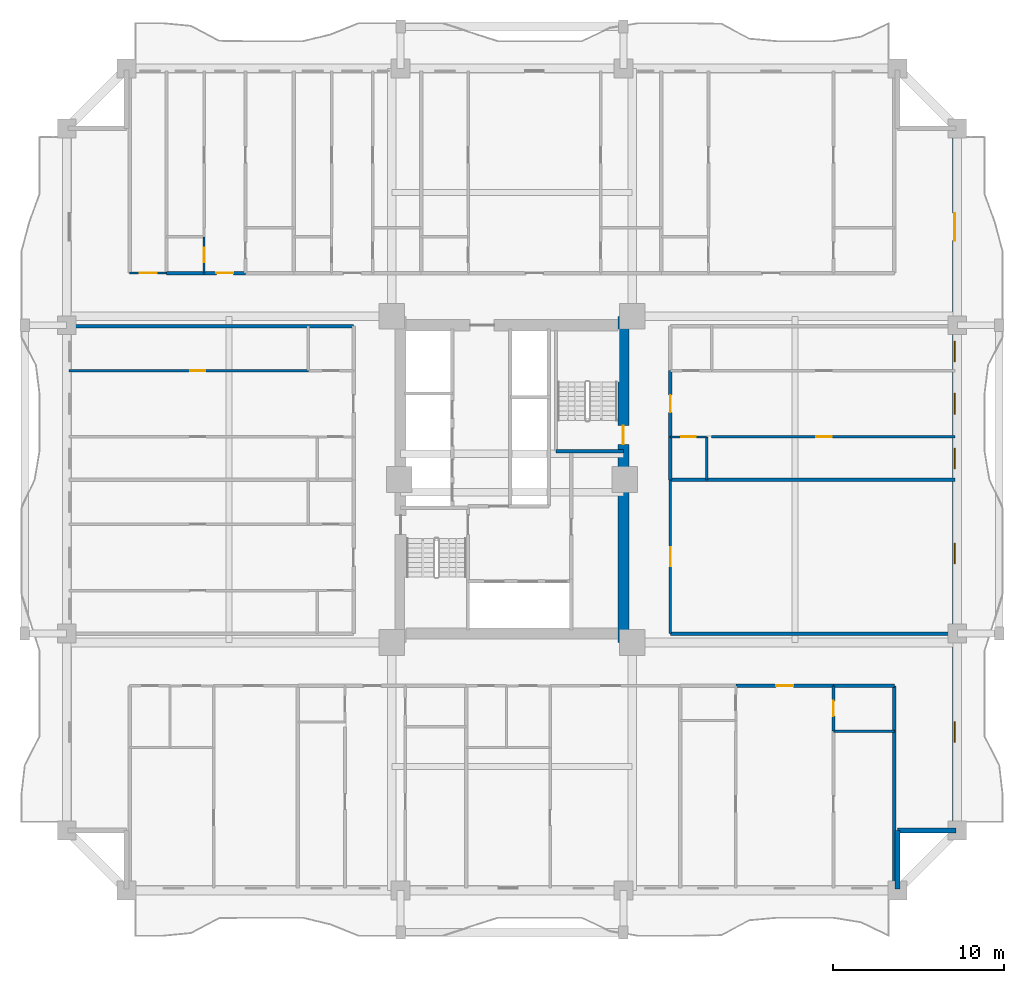
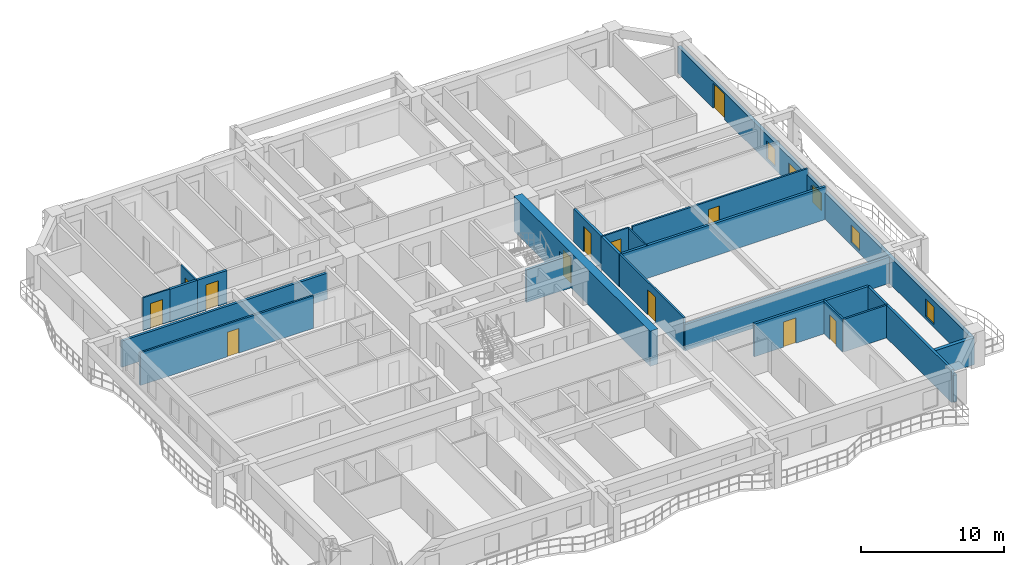
# One storey, part 5 of 15: 24 walls, 12 doors, 5 windows, 17 openings.
"""IFC4 building model written with IfcOpenShell, lengths in metres."""

from ifc_helpers import new_model, si_unit, direction, frame, frame_2d, origin, place, context, subcontext, project, spatial, rectangle, extrude, source, transform, mapped, material, layer, layer_set, type_object, element, fill, save


model = new_model("IFC4")

# Units and contexts
model_context = context("Model", 3, precision=1e-05, world=origin(), true_north=direction((0.0, 1.0)))
body_context = subcontext(model_context, "Body", "Model", "MODEL_VIEW")
ifc_project = project(units=[si_unit("LENGTHUNIT", "METRE"), si_unit("AREAUNIT", "SQUARE_METRE"), si_unit("VOLUMEUNIT", "CUBIC_METRE"), si_unit("PLANEANGLEUNIT", "RADIAN"), si_unit("MASSUNIT", "GRAM", prefix="KILO")], contexts=[model_context])

# Site, building, storey
site_placement = place(None, origin())
site = spatial("IfcSite", under=ifc_project, at=site_placement, CompositionType="ELEMENT")
building_placement = place(site_placement, origin())
building = spatial("IfcBuilding", under=site, at=building_placement, Name="Saelheon Loggia Tower", CompositionType="ELEMENT")
storey_placement = place(building_placement, frame((0.0, 0.0, 46.39990234375)))
storey = spatial("IfcBuildingStorey", under=building, at=storey_placement, Name="L14", CompositionType="ELEMENT", Elevation=46.39990234375)

# Wall, opening, door
ifc_material_1 = material(Name="Concrete C60/75", Category="concrete")
ifc_layer_1 = layer(ifc_material_1, 0.64990234375)
ifc_layer_set_1 = layer_set([ifc_layer_1], Name="Concrete C60/75")
wall_type_1 = type_object("IfcWallType", Name="Wall_CoreShear_650", PredefinedType="SHEAR", material=ifc_layer_set_1)
wall_1_placement = place(storey_placement, frame((44.5, 17.47998046875, 0.0), z_axis=(0.0, 0.0, 1.0), x_axis=(0.0, 1.0, 0.0)))
wall_1 = element("IfcWall", 1, at=wall_1_placement, inside=storey, type_object=wall_type_1, Name="L14 Core Shear Wall East", PredefinedType="SHEAR", context=body_context, shape_type="SweptSolid", body=[
    extrude(rectangle(XDim=19.0400390625, YDim=0.64990234375, at=frame_2d((9.52001953125, 0.0))), origin(), (0.0, 0.0, 1.0), 3.0),
])
opening_1_placement = place(wall_1_placement, frame((12.670166015625, 0.0, 0.0), z_axis=(0.0, 0.0, 1.0), x_axis=(-1.0, 0.0, 0.0)))
opening_1 = element("IfcOpeningElement", 2, at=opening_1_placement, cuts=wall_1, Name="Opening D-FD2", PredefinedType="OPENING", context=body_context, shape_type="SweptSolid", body=[
    extrude(rectangle(XDim=1.10009765625, YDim=2.14990234375, at=frame_2d((0.550048828125, 1.074951171875))), frame((0.0, 0.3369140625, 0.0), z_axis=(0.0, -1.0, 0.0), x_axis=(1.0, 0.0, 0.0)), (0.0, 0.0, 1.0), 0.673828125),
])
ifc_material_2 = material(Name="Galvanised Steel Fire Door", Category="steel")
door_type_1 = type_object("IfcDoorType", Name="Door_Fire_FD60_1100", OperationType="NOTDEFINED", PredefinedType="DOOR", material=ifc_material_2)
shared_shape_1 = source(origin(), body_context, "Body", "SweptSolid", [
    extrude(rectangle(XDim=1.10009765625, YDim=2.14990234375, at=frame_2d((0.550048828125, 1.074951171875))), frame((0.0, 0.02490234375, 0.0), z_axis=(0.0, -1.0, 0.0), x_axis=(1.0, 0.0, 0.0)), (0.0, 0.0, 1.0), 0.050048828125),
])
door_1_placement = place(opening_1_placement, origin())
door_1 = element("IfcDoor", 3, at=door_1_placement, inside=storey, type_object=door_type_1, Name="L14 Stair ST2 Corridor Door", OperationType="SINGLE_SWING_RIGHT", OverallHeight=2.14990234375, OverallWidth=1.10009765625, PredefinedType="DOOR", context=body_context, shape_type="MappedRepresentation", body=[
    mapped(shared_shape_1, transform((0.0, 0.0, 0.0), scale=1.0)),
])
fill(opening_1, door_1)

# Wall, openings, windows, door
ifc_material_3 = material(Name="Architectural Precast Concrete C40/50", Category="concrete")
ifc_layer_2 = layer(ifc_material_3, 0.280029296875)
ifc_layer_set_2 = layer_set([ifc_layer_2], Name="Architectural Precast Concrete C40/50")
wall_type_2 = type_object("IfcWallType", Name="Wall_Ext_Loggia_280", PredefinedType="SOLIDWALL", material=ifc_layer_set_2)
wall_2_placement = place(storey_placement, frame((63.860107421875, 6.5, 0.0), z_axis=(0.0, 0.0, 1.0), x_axis=(0.0, 1.0, 0.0)))
wall_2 = element("IfcWall", 4, at=wall_2_placement, inside=storey, type_object=wall_type_2, Name="L14 East Loggia Inner Wall", PredefinedType="SOLIDWALL", context=body_context, shape_type="SweptSolid", body=[
    extrude(rectangle(XDim=41.0, YDim=0.280029296875, at=frame_2d((20.5, 0.0))), origin(), (0.0, 0.0, 1.0), 2.280029296875),
])
opening_2_placement = place(wall_2_placement, frame((5.14990234375, 0.0, 0.25)))
opening_2 = element("IfcOpeningElement", 5, at=opening_2_placement, cuts=wall_2, Name="Opening WN-03", PredefinedType="OPENING", context=body_context, shape_type="SweptSolid", body=[
    extrude(rectangle(XDim=1.199951171875, YDim=1.5, at=frame_2d((0.60009765625, 0.75))), frame((0.0, 0.152099609375, 0.0), z_axis=(0.0, -1.0, 0.0), x_axis=(1.0, 0.0, 0.0)), (0.0, 0.0, 1.0), 0.303955078125),
])
opening_3_placement = place(wall_2_placement, frame((15.58251953125, 0.0, 0.25)))
opening_3 = element("IfcOpeningElement", 6, at=opening_3_placement, cuts=wall_2, Name="Opening WN-03", PredefinedType="OPENING", context=body_context, shape_type="SweptSolid", body=[
    extrude(rectangle(XDim=1.199951171875, YDim=1.5, at=frame_2d((0.60009765625, 0.75))), frame((0.0, 0.152099609375, 0.0), z_axis=(0.0, -1.0, 0.0), x_axis=(1.0, 0.0, 0.0)), (0.0, 0.0, 1.0), 0.303955078125),
])
opening_4_placement = place(wall_2_placement, frame((21.131591796875, 0.0, 0.25)))
opening_4 = element("IfcOpeningElement", 7, at=opening_4_placement, cuts=wall_2, Name="Opening WN-03", PredefinedType="OPENING", context=body_context, shape_type="SweptSolid", body=[
    extrude(rectangle(XDim=1.199951171875, YDim=1.5, at=frame_2d((0.60009765625, 0.75))), frame((0.0, 0.152099609375, 0.0), z_axis=(0.0, -1.0, 0.0), x_axis=(1.0, 0.0, 0.0)), (0.0, 0.0, 1.0), 0.303955078125),
])
opening_5_placement = place(wall_2_placement, frame((24.319091796875, 0.0, 0.25)))
opening_5 = element("IfcOpeningElement", 8, at=opening_5_placement, cuts=wall_2, Name="Opening WN-03", PredefinedType="OPENING", context=body_context, shape_type="SweptSolid", body=[
    extrude(rectangle(XDim=1.199951171875, YDim=1.5, at=frame_2d((0.60009765625, 0.75))), frame((0.0, 0.152099609375, 0.0), z_axis=(0.0, -1.0, 0.0), x_axis=(1.0, 0.0, 0.0)), (0.0, 0.0, 1.0), 0.303955078125),
])
opening_6_placement = place(wall_2_placement, frame((27.3798828125, 0.0, 0.25)))
opening_6 = element("IfcOpeningElement", 9, at=opening_6_placement, cuts=wall_2, Name="Opening WN-03", PredefinedType="OPENING", context=body_context, shape_type="SweptSolid", body=[
    extrude(rectangle(XDim=1.199951171875, YDim=1.5, at=frame_2d((0.60009765625, 0.75))), frame((0.0, 0.152099609375, 0.0), z_axis=(0.0, -1.0, 0.0), x_axis=(1.0, 0.0, 0.0)), (0.0, 0.0, 1.0), 0.303955078125),
])
opening_7_placement = place(wall_2_placement, frame((36.050048828125, 0.0, 0.0), z_axis=(0.0, 0.0, 1.0), x_axis=(-1.0, 0.0, 0.0)))
opening_7 = element("IfcOpeningElement", 10, at=opening_7_placement, cuts=wall_2, Name="Opening DLG-1", PredefinedType="OPENING", context=body_context, shape_type="SweptSolid", body=[
    extrude(rectangle(XDim=1.60009765625, YDim=2.14990234375, at=frame_2d((0.800048828125, 1.074951171875))), frame((0.0, 0.152099609375, 0.0), z_axis=(0.0, -1.0, 0.0), x_axis=(1.0, 0.0, 0.0)), (0.0, 0.0, 1.0), 0.303955078125),
])
ifc_material_4 = material(Name="Thermal-Break Aluminium and Triple Low-E Glass", Category="aluminium")
window_type = type_object("IfcWindowType", Name="Win_Bedroom_1200x1500", PartitioningType="SINGLE_PANEL", PredefinedType="WINDOW", material=ifc_material_4)
shared_shape_2 = source(origin(), body_context, "Body", "SweptSolid", [
    extrude(rectangle(XDim=1.199951171875, YDim=1.5, at=frame_2d((0.60009765625, 0.75))), frame((0.0, 0.030029296875, 0.0), z_axis=(0.0, -1.0, 0.0), x_axis=(1.0, 0.0, 0.0)), (0.0, 0.0, 1.0), 0.06005859375),
])
window_1_placement = place(opening_2_placement, origin())
window_1 = element("IfcWindow", 11, at=window_1_placement, inside=storey, type_object=window_type, Name="L14 E Dwelling Window 1", OverallHeight=1.5, OverallWidth=1.199951171875, PartitioningType="SINGLE_PANEL", PredefinedType="WINDOW", context=body_context, shape_type="MappedRepresentation", body=[
    mapped(shared_shape_2, transform((0.0, 0.0, 0.0), scale=1.0)),
])
fill(opening_2, window_1)
window_2_placement = place(opening_3_placement, origin())
window_2 = element("IfcWindow", 12, at=window_2_placement, inside=storey, type_object=window_type, Name="L14 E Dwelling Window 2", OverallHeight=1.5, OverallWidth=1.199951171875, PartitioningType="SINGLE_PANEL", PredefinedType="WINDOW", context=body_context, shape_type="MappedRepresentation", body=[
    mapped(shared_shape_2, transform((0.0, 0.0, 0.0), scale=1.0)),
])
fill(opening_3, window_2)
window_3_placement = place(opening_4_placement, origin())
window_3 = element("IfcWindow", 13, at=window_3_placement, inside=storey, type_object=window_type, Name="L14 E Dwelling Window 3", OverallHeight=1.5, OverallWidth=1.199951171875, PartitioningType="SINGLE_PANEL", PredefinedType="WINDOW", context=body_context, shape_type="MappedRepresentation", body=[
    mapped(shared_shape_2, transform((0.0, 0.0, 0.0), scale=1.0)),
])
fill(opening_4, window_3)
window_4_placement = place(opening_5_placement, origin())
window_4 = element("IfcWindow", 14, at=window_4_placement, inside=storey, type_object=window_type, Name="L14 E Dwelling Window 4", OverallHeight=1.5, OverallWidth=1.199951171875, PartitioningType="SINGLE_PANEL", PredefinedType="WINDOW", context=body_context, shape_type="MappedRepresentation", body=[
    mapped(shared_shape_2, transform((0.0, 0.0, 0.0), scale=1.0)),
])
fill(opening_5, window_4)
window_5_placement = place(opening_6_placement, origin())
window_5 = element("IfcWindow", 15, at=window_5_placement, inside=storey, type_object=window_type, Name="L14 E Dwelling Window 5", OverallHeight=1.5, OverallWidth=1.199951171875, PartitioningType="SINGLE_PANEL", PredefinedType="WINDOW", context=body_context, shape_type="MappedRepresentation", body=[
    mapped(shared_shape_2, transform((0.0, 0.0, 0.0), scale=1.0)),
])
fill(opening_6, window_5)
ifc_material_5 = material(Name="Thermal-Break Aluminium Sliding Glazed Door", Category="aluminium")
door_type_2 = type_object("IfcDoorType", Name="Door_LoggiaSlide_1600", OperationType="SLIDING_TO_LEFT", PredefinedType="DOOR", material=ifc_material_5)
shared_shape_3 = source(origin(), body_context, "Body", "SweptSolid", [
    extrude(rectangle(XDim=1.60009765625, YDim=2.14990234375, at=frame_2d((0.800048828125, 1.074951171875))), frame((0.0, 0.02490234375, 0.0), z_axis=(0.0, -1.0, 0.0), x_axis=(1.0, 0.0, 0.0)), (0.0, 0.0, 1.0), 0.050048828125),
])
door_2_placement = place(opening_7_placement, origin())
door_2 = element("IfcDoor", 16, at=door_2_placement, inside=storey, type_object=door_type_2, Name="L14 E Loggia Access Door", OperationType="SLIDING_TO_LEFT", OverallHeight=2.14990234375, OverallWidth=1.60009765625, PredefinedType="DOOR", context=body_context, shape_type="MappedRepresentation", body=[
    mapped(shared_shape_3, transform((0.0, 0.0, 0.0), scale=1.0)),
])
fill(opening_7, door_2)

# Walls
for number, where, z_axis, x_axis, name in (
    (17, (60.5, 3.080078125, 0.0), (0.0, 0.0, 1.0), (0.0, 1.0, 0.0), "L14 Corner Notch Precast Wall SE1"),
    (18, (60.5, 6.5, 0.0), (0.0, 0.0, 1.0), (1.0, 0.0, 0.0), "L14 Corner Notch Precast Wall SE2"),
):
    element("IfcWall", number, at=place(storey_placement, frame(where, z_axis=z_axis, x_axis=x_axis)), inside=storey, type_object=wall_type_2, Name=name, PredefinedType="SOLIDWALL", context=body_context, shape_type="SweptSolid", body=[
        extrude(rectangle(XDim=3.419921875, YDim=0.280029296875, at=frame_2d((1.7099609375, 0.0))), origin(), (0.0, 0.0, 1.0), 2.280029296875),
    ])
ifc_material_6 = material(Name="Lightweight Autoclaved Aerated Concrete Block and Acoustic Gypsum", Category="concrete")
ifc_layer_3 = layer(ifc_material_6, 0.14990234375)
ifc_layer_set_3 = layer_set([ifc_layer_3], Name="Lightweight Autoclaved Aerated Concrete Block and Acoustic Gypsum")
wall_type_3 = type_object("IfcWallType", Name="Wall_Part_150", PredefinedType="PARTITIONING", material=ifc_layer_set_3)
wall_3_placement = place(storey_placement, frame((56.77197265625, 12.31005859375, 0.0), z_axis=(0.0, 0.0, 1.0), x_axis=(1.0, 0.0, 0.0)))
element("IfcWall", 19, at=wall_3_placement, inside=storey, type_object=wall_type_3, Name="L14 S Partition V33", PredefinedType="PARTITIONING", context=body_context, shape_type="SweptSolid", body=[
    extrude(rectangle(XDim=3.548095703125, YDim=0.14990234375, at=frame_2d((1.77392578125, 0.0))), origin(), (0.0, 0.0, 1.0), 2.7900390625),
])

# Wall, opening, door
wall_4_placement = place(storey_placement, frame((56.77197265625, 14.949951171875, 0.0), z_axis=(0.0, 0.0, 1.0), x_axis=(0.0, -1.0, 0.0)))
wall_4 = element("IfcWall", 20, at=wall_4_placement, inside=storey, type_object=wall_type_3, Name="L14 S Partition U37", PredefinedType="PARTITIONING", context=body_context, shape_type="SweptSolid", body=[
    extrude(rectangle(XDim=2.639892578125, YDim=0.14990234375, at=frame_2d((1.31982421875, 0.0))), origin(), (0.0, 0.0, 1.0), 2.7900390625),
])
opening_8_placement = place(wall_4_placement, frame((0.8701171875, 0.0, 0.0)))
opening_8 = element("IfcOpeningElement", 21, at=opening_8_placement, cuts=wall_4, Name="Opening D-IN2", PredefinedType="OPENING", context=body_context, shape_type="SweptSolid", body=[
    extrude(rectangle(XDim=0.89990234375, YDim=2.10009765625, at=frame_2d((0.449951171875, 1.050048828125))), frame((0.0, 0.0869140625, 0.0), z_axis=(0.0, -1.0, 0.0), x_axis=(1.0, 0.0, 0.0)), (0.0, 0.0, 1.0), 0.173828125),
])
ifc_material_7 = material(Name="Engineered Oak Flush Door", Category="timber")
door_type_3 = type_object("IfcDoorType", Name="Door_Int_900", OperationType="NOTDEFINED", PredefinedType="DOOR", material=ifc_material_7)
shared_shape_4 = source(origin(), body_context, "Body", "SweptSolid", [
    extrude(rectangle(XDim=0.89990234375, YDim=2.10009765625, at=frame_2d((0.449951171875, 1.050048828125))), frame((0.0, 0.02490234375, 0.0), z_axis=(0.0, -1.0, 0.0), x_axis=(1.0, 0.0, 0.0)), (0.0, 0.0, 1.0), 0.050048828125),
])
door_3_placement = place(opening_8_placement, origin())
door_3 = element("IfcDoor", 22, at=door_3_placement, inside=storey, type_object=door_type_3, Name="Unit U02 Kitchen Door", OperationType="SINGLE_SWING_LEFT", OverallHeight=2.10009765625, OverallWidth=0.89990234375, PredefinedType="DOOR", context=body_context, shape_type="MappedRepresentation", body=[
    mapped(shared_shape_4, transform((0.0, 0.0, 0.0), scale=1.0)),
])
fill(opening_8, door_3)

wall_5_placement = place(storey_placement, frame((26.110107421875, 33.35009765625, 0.0), z_axis=(0.0, 0.0, 1.0), x_axis=(-1.0, 0.0, 0.0)))
wall_5 = element("IfcWall", 23, at=wall_5_placement, inside=storey, type_object=wall_type_3, Name="L14 W Partition U23", PredefinedType="PARTITIONING", context=body_context, shape_type="SweptSolid", body=[
    extrude(rectangle(XDim=13.960205078125, YDim=0.14990234375, at=frame_2d((6.97998046875, 0.0))), origin(), (0.0, 0.0, 1.0), 2.7900390625),
])
opening_9_placement = place(wall_5_placement, frame((6.005859375, 0.0, 0.0)))
opening_9 = element("IfcOpeningElement", 24, at=opening_9_placement, cuts=wall_5, Name="Opening D-IN2", PredefinedType="OPENING", context=body_context, shape_type="SweptSolid", body=[
    extrude(rectangle(XDim=0.89990234375, YDim=2.10009765625, at=frame_2d((0.449951171875, 1.050048828125))), frame((0.0, 0.0869140625, 0.0), z_axis=(0.0, -1.0, 0.0), x_axis=(1.0, 0.0, 0.0)), (0.0, 0.0, 1.0), 0.173828125),
])
door_4_placement = place(opening_9_placement, origin())
door_4 = element("IfcDoor", 25, at=door_4_placement, inside=storey, type_object=door_type_3, Name="Unit U08 Bedroom 1 Door", OperationType="SINGLE_SWING_LEFT", OverallHeight=2.10009765625, OverallWidth=0.89990234375, PredefinedType="DOOR", context=body_context, shape_type="MappedRepresentation", body=[
    mapped(shared_shape_4, transform((0.0, 0.0, 0.0), scale=1.0)),
])
fill(opening_9, door_4)

wall_6_placement = place(storey_placement, frame((47.25, 18.0, 0.0), z_axis=(0.0, 0.0, 1.0), x_axis=(0.0, 1.0, 0.0)))
wall_6 = element("IfcWall", 26, at=wall_6_placement, inside=storey, type_object=wall_type_3, Name="L14 E Partition V03", PredefinedType="PARTITIONING", context=body_context, shape_type="SweptSolid", body=[
    extrude(rectangle(XDim=8.97509765625, YDim=0.14990234375, at=frame_2d((4.487548828125, 0.0))), origin(), (0.0, 0.0, 1.0), 2.7900390625),
])
opening_10_placement = place(wall_6_placement, frame((3.9375, 0.0, 0.0)))
opening_10 = element("IfcOpeningElement", 27, at=opening_10_placement, cuts=wall_6, Name="Opening D-FD2", PredefinedType="OPENING", context=body_context, shape_type="SweptSolid", body=[
    extrude(rectangle(XDim=1.10009765625, YDim=2.14990234375, at=frame_2d((0.550048828125, 1.074951171875))), frame((0.0, 0.0869140625, 0.0), z_axis=(0.0, -1.0, 0.0), x_axis=(1.0, 0.0, 0.0)), (0.0, 0.0, 1.0), 0.173828125),
])
door_5_placement = place(opening_10_placement, origin())
door_5 = element("IfcDoor", 28, at=door_5_placement, inside=storey, type_object=door_type_1, Name="L14 Community Wellness Activity Hall Door A", OperationType="SINGLE_SWING_RIGHT", OverallHeight=2.14990234375, OverallWidth=1.10009765625, PredefinedType="DOOR", context=body_context, shape_type="MappedRepresentation", body=[
    mapped(shared_shape_1, transform((0.0, 0.0, 0.0), scale=1.0)),
])
fill(opening_10, door_5)

wall_7_placement = place(storey_placement, frame((49.64990234375, 29.488037109375, 0.0), z_axis=(0.0, 0.0, 1.0), x_axis=(1.0, 0.0, 0.0)))
wall_7 = element("IfcWall", 29, at=wall_7_placement, inside=storey, type_object=wall_type_3, Name="L14 E Partition U11", PredefinedType="PARTITIONING", context=body_context, shape_type="SweptSolid", body=[
    extrude(rectangle(XDim=14.2001953125, YDim=0.14990234375, at=frame_2d((7.10009765625, 0.0))), origin(), (0.0, 0.0, 1.0), 2.7900390625),
])
opening_11_placement = place(wall_7_placement, frame((6.11572265625, 0.0, 0.0)))
opening_11 = element("IfcOpeningElement", 30, at=opening_11_placement, cuts=wall_7, Name="Opening D-IN2", PredefinedType="OPENING", context=body_context, shape_type="SweptSolid", body=[
    extrude(rectangle(XDim=0.89990234375, YDim=2.10009765625, at=frame_2d((0.449951171875, 1.050048828125))), frame((0.0, 0.0869140625, 0.0), z_axis=(0.0, -1.0, 0.0), x_axis=(1.0, 0.0, 0.0)), (0.0, 0.0, 1.0), 0.173828125),
])
door_6_placement = place(opening_11_placement, origin())
door_6 = element("IfcDoor", 31, at=door_6_placement, inside=storey, type_object=door_type_3, Name="Unit U09 Kitchen Door", OperationType="SINGLE_SWING_LEFT", OverallHeight=2.10009765625, OverallWidth=0.89990234375, PredefinedType="DOOR", context=body_context, shape_type="MappedRepresentation", body=[
    mapped(shared_shape_4, transform((0.0, 0.0, 0.0), scale=1.0)),
])
fill(opening_11, door_6)

# Wall
ifc_material_8 = material(Name="Double Acoustic Stud and Fireboard Partition", Category="gypsum")
ifc_layer_4 = layer(ifc_material_8, 0.199951171875)
ifc_layer_set_4 = layer_set([ifc_layer_4], Name="Double Acoustic Stud and Fireboard Partition")
wall_type_4 = type_object("IfcWallType", Name="Wall_Party_200", PredefinedType="PARTITIONING", material=ifc_layer_set_4)
wall_8_placement = place(storey_placement, frame((60.320068359375, 14.949951171875, 0.0), z_axis=(0.0, 0.0, 1.0), x_axis=(0.0, -1.0, 0.0)))
element("IfcWall", 32, at=wall_8_placement, inside=storey, type_object=wall_type_4, Name="L14 S Partition U02", PredefinedType="PARTITIONING", context=body_context, shape_type="SweptSolid", body=[
    extrude(rectangle(XDim=11.800048828125, YDim=0.199951171875, at=frame_2d((5.89990234375, 0.0))), origin(), (0.0, 0.0, 1.0), 2.7900390625),
])

# Wall, opening, door
wall_9_placement = place(storey_placement, frame((51.070556640625, 14.949951171875, 0.0), z_axis=(0.0, 0.0, 1.0), x_axis=(1.0, 0.0, 0.0)))
wall_9 = element("IfcWall", 33, at=wall_9_placement, inside=storey, type_object=wall_type_4, Name="L14 S Partition V30", PredefinedType="PARTITIONING", context=body_context, shape_type="SweptSolid", body=[
    extrude(rectangle(XDim=5.701416015625, YDim=0.199951171875, at=frame_2d((2.8505859375, 0.0))), origin(), (0.0, 0.0, 1.0), 2.7900390625),
])
opening_12_placement = place(wall_9_placement, frame((2.3505859375, 0.0, 0.0)))
opening_12 = element("IfcOpeningElement", 34, at=opening_12_placement, cuts=wall_9, Name="Opening D-FD1", PredefinedType="OPENING", context=body_context, shape_type="SweptSolid", body=[
    extrude(rectangle(XDim=1.0, YDim=2.14990234375, at=frame_2d((0.5, 1.074951171875))), frame((0.0, 0.112060546875, 0.0), z_axis=(0.0, -1.0, 0.0), x_axis=(1.0, 0.0, 0.0)), (0.0, 0.0, 1.0), 0.223876953125),
])
ifc_material_9 = material(Name="Fire-Rated Engineered Timber Entrance Door", Category="wood")
door_type_4 = type_object("IfcDoorType", Name="Door_Flat_FD30S", OperationType="NOTDEFINED", PredefinedType="DOOR", material=ifc_material_9)
shared_shape_5 = source(origin(), body_context, "Body", "SweptSolid", [
    extrude(rectangle(XDim=1.0, YDim=2.14990234375, at=frame_2d((0.5, 1.074951171875))), frame((0.0, 0.02490234375, 0.0), z_axis=(0.0, -1.0, 0.0), x_axis=(1.0, 0.0, 0.0)), (0.0, 0.0, 1.0), 0.050048828125),
])
door_7_placement = place(opening_12_placement, origin())
door_7 = element("IfcDoor", 35, at=door_7_placement, inside=storey, type_object=door_type_4, Name="Unit U02 Entrance Door", OperationType="SINGLE_SWING_RIGHT", OverallHeight=2.14990234375, OverallWidth=1.0, PredefinedType="DOOR", context=body_context, shape_type="MappedRepresentation", body=[
    mapped(shared_shape_5, transform((0.0, 0.0, 0.0), scale=1.0)),
])
fill(opening_12, door_7)

# Walls
wall_10_placement = place(storey_placement, frame((56.77197265625, 14.949951171875, 0.0), z_axis=(0.0, 0.0, 1.0), x_axis=(1.0, 0.0, 0.0)))
element("IfcWall", 36, at=wall_10_placement, inside=storey, type_object=wall_type_4, Name="L14 S Partition V31", PredefinedType="PARTITIONING", context=body_context, shape_type="SweptSolid", body=[
    extrude(rectangle(XDim=3.548095703125, YDim=0.199951171875, at=frame_2d((1.77392578125, 0.0))), origin(), (0.0, 0.0, 1.0), 2.7900390625),
])
wall_11_placement = place(storey_placement, frame((17.830078125, 39.050048828125, 0.0), z_axis=(0.0, 0.0, 1.0), x_axis=(1.0, 0.0, 0.0)))
element("IfcWall", 37, at=wall_11_placement, inside=storey, type_object=wall_type_4, Name="L14 N Partition V05", PredefinedType="PARTITIONING", context=body_context, shape_type="SweptSolid", body=[
    extrude(rectangle(XDim=2.199951171875, YDim=0.199951171875, at=frame_2d((1.10009765625, 0.0))), origin(), (0.0, 0.0, 1.0), 2.7900390625),
])

# Wall, opening, door
wall_12_placement = place(storey_placement, frame((20.030029296875, 39.050048828125, 0.0), z_axis=(0.0, 0.0, 1.0), x_axis=(1.0, 0.0, 0.0)))
wall_12 = element("IfcWall", 38, at=wall_12_placement, inside=storey, type_object=wall_type_4, Name="L14 N Partition V06", PredefinedType="PARTITIONING", context=body_context, shape_type="SweptSolid", body=[
    extrude(rectangle(XDim=2.41015625, YDim=0.199951171875, at=frame_2d((1.205078125, 0.0))), origin(), (0.0, 0.0, 1.0), 2.7900390625),
])
opening_13_placement = place(wall_12_placement, frame((0.705078125, 0.0, 0.0)))
opening_13 = element("IfcOpeningElement", 39, at=opening_13_placement, cuts=wall_12, Name="Opening D-FD1", PredefinedType="OPENING", context=body_context, shape_type="SweptSolid", body=[
    extrude(rectangle(XDim=1.0, YDim=2.14990234375, at=frame_2d((0.5, 1.074951171875))), frame((0.0, 0.112060546875, 0.0), z_axis=(0.0, -1.0, 0.0), x_axis=(1.0, 0.0, 0.0)), (0.0, 0.0, 1.0), 0.223876953125),
])
door_8_placement = place(opening_13_placement, origin())
door_8 = element("IfcDoor", 40, at=door_8_placement, inside=storey, type_object=door_type_4, Name="Unit U03 Entrance Door", OperationType="SINGLE_SWING_RIGHT", OverallHeight=2.14990234375, OverallWidth=1.0, PredefinedType="DOOR", context=body_context, shape_type="MappedRepresentation", body=[
    mapped(shared_shape_5, transform((0.0, 0.0, 0.0), scale=1.0)),
])
fill(opening_13, door_8)

# Walls
for number, where, z_axis, x_axis, name in (
    (41, (28.75, 35.949951171875, 0.0), (0.0, 0.0, 1.0), (-1.0, 0.0, 0.0), "L14 W Partition U02"),
    (42, (47.25, 18.0, 0.0), (0.0, 0.0, 1.0), (1.0, 0.0, 0.0), "L14 E Partition U01"),
):
    element("IfcWall", number, at=place(storey_placement, frame(where, z_axis=z_axis, x_axis=x_axis)), inside=storey, type_object=wall_type_4, Name=name, PredefinedType="PARTITIONING", context=body_context, shape_type="SweptSolid", body=[
        extrude(rectangle(XDim=16.60009765625, YDim=0.199951171875, at=frame_2d((8.300048828125, 0.0))), origin(), (0.0, 0.0, 1.0), 2.239990234375),
    ])
wall_13_placement = place(storey_placement, frame((47.25, 26.97509765625, 0.0), z_axis=(0.0, 0.0, 1.0), x_axis=(1.0, 0.0, 0.0)))
element("IfcWall", 43, at=wall_13_placement, inside=storey, type_object=wall_type_4, Name="L14 E Partition U04", PredefinedType="PARTITIONING", context=body_context, shape_type="SweptSolid", body=[
    extrude(rectangle(XDim=16.60009765625, YDim=0.199951171875, at=frame_2d((8.300048828125, 0.0))), origin(), (0.0, 0.0, 1.0), 2.7900390625),
])
wall_14_placement = place(storey_placement, frame((47.25, 26.97509765625, 0.0), z_axis=(0.0, 0.0, 1.0), x_axis=(0.0, 1.0, 0.0)))
element("IfcWall", 44, at=wall_14_placement, inside=storey, type_object=wall_type_4, Name="L14 E Partition V05", PredefinedType="PARTITIONING", context=body_context, shape_type="SweptSolid", body=[
    extrude(rectangle(XDim=2.512939453125, YDim=0.199951171875, at=frame_2d((1.25634765625, 0.0))), origin(), (0.0, 0.0, 1.0), 2.7900390625),
])

# Wall, opening, door
wall_15_placement = place(storey_placement, frame((47.25, 29.488037109375, 0.0), z_axis=(0.0, 0.0, 1.0), x_axis=(0.0, 1.0, 0.0)))
wall_15 = element("IfcWall", 45, at=wall_15_placement, inside=storey, type_object=wall_type_4, Name="L14 E Partition V06", PredefinedType="PARTITIONING", context=body_context, shape_type="SweptSolid", body=[
    extrude(rectangle(XDim=3.862060546875, YDim=0.199951171875, at=frame_2d((1.93115234375, 0.0))), origin(), (0.0, 0.0, 1.0), 2.7900390625),
])
opening_14_placement = place(wall_15_placement, frame((1.430908203125, 0.0, 0.0)))
opening_14 = element("IfcOpeningElement", 46, at=opening_14_placement, cuts=wall_15, Name="Opening D-FD1", PredefinedType="OPENING", context=body_context, shape_type="SweptSolid", body=[
    extrude(rectangle(XDim=1.0, YDim=2.14990234375, at=frame_2d((0.5, 1.074951171875))), frame((0.0, 0.112060546875, 0.0), z_axis=(0.0, -1.0, 0.0), x_axis=(1.0, 0.0, 0.0)), (0.0, 0.0, 1.0), 0.223876953125),
])
door_9_placement = place(opening_14_placement, origin())
door_9 = element("IfcDoor", 47, at=door_9_placement, inside=storey, type_object=door_type_4, Name="Unit U09 Entrance Door", OperationType="SINGLE_SWING_LEFT", OverallHeight=2.14990234375, OverallWidth=1.0, PredefinedType="DOOR", context=body_context, shape_type="MappedRepresentation", body=[
    mapped(shared_shape_5, transform((0.0, 0.0, 0.0), scale=1.0)),
])
fill(opening_14, door_9)

# Wall
ifc_material_10 = material(Name="Concrete C45/55", Category="concrete")
ifc_layer_5 = layer(ifc_material_10, 0.199951171875)
ifc_layer_set_5 = layer_set([ifc_layer_5], Name="Concrete C45/55")
wall_type_5 = type_object("IfcWallType", Name="Wall_StairShaft_RC200", PredefinedType="SOLIDWALL", material=ifc_layer_set_5)
wall_16_placement = place(storey_placement, frame((40.570068359375, 28.64990234375, 0.0), z_axis=(0.0, 0.0, 1.0), x_axis=(1.0, 0.0, 0.0)))
element("IfcWall", 48, at=wall_16_placement, inside=storey, type_object=wall_type_5, Name="L14 Stair ST2 South Wall", PredefinedType="SOLIDWALL", context=body_context, shape_type="SweptSolid", body=[
    extrude(rectangle(XDim=3.929931640625, YDim=0.199951171875, at=frame_2d((1.96484375, 0.0))), origin(), (0.0, 0.0, 1.0), 2.7900390625),
])

# Wall, opening, door
ifc_material_11 = material(Name="Moisture-Resistant Cement Board Partition", Category="gypsum")
ifc_layer_6 = layer(ifc_material_11, 0.1201171875)
ifc_layer_set_6 = layer_set([ifc_layer_6], Name="Moisture-Resistant Cement Board Partition")
wall_type_6 = type_object("IfcWallType", Name="Wall_WetPart_120", PredefinedType="PARTITIONING", material=ifc_layer_set_6)
wall_17_placement = place(storey_placement, frame((15.679931640625, 39.050048828125, 0.0), z_axis=(0.0, 0.0, 1.0), x_axis=(1.0, 0.0, 0.0)))
wall_17 = element("IfcWall", 49, at=wall_17_placement, inside=storey, type_object=wall_type_6, Name="L14 N Partition V04", PredefinedType="PARTITIONING", context=body_context, shape_type="SweptSolid", body=[
    extrude(rectangle(XDim=2.150146484375, YDim=0.1201171875, at=frame_2d((1.0751953125, 0.0))), origin(), (0.0, 0.0, 1.0), 2.7900390625),
])
opening_15_placement = place(wall_17_placement, frame((0.574951171875, 0.0, 0.0)))
opening_15 = element("IfcOpeningElement", 50, at=opening_15_placement, cuts=wall_17, Name="Opening D-AC1", PredefinedType="OPENING", context=body_context, shape_type="SweptSolid", body=[
    extrude(rectangle(XDim=1.0, YDim=2.10009765625, at=frame_2d((0.5, 1.050048828125))), frame((0.0, 0.072021484375, 0.0), z_axis=(0.0, -1.0, 0.0), x_axis=(1.0, 0.0, 0.0)), (0.0, 0.0, 1.0), 0.14404296875),
])
ifc_material_12 = material(Name="Accessible Laminate Flush Door", Category="timber")
door_type_5 = type_object("IfcDoorType", Name="Door_Acc_1000", OperationType="NOTDEFINED", PredefinedType="DOOR", material=ifc_material_12)
shared_shape_6 = source(origin(), body_context, "Body", "SweptSolid", [
    extrude(rectangle(XDim=1.0, YDim=2.10009765625, at=frame_2d((0.5, 1.050048828125))), frame((0.0, 0.02490234375, 0.0), z_axis=(0.0, -1.0, 0.0), x_axis=(1.0, 0.0, 0.0)), (0.0, 0.0, 1.0), 0.050048828125),
])
door_10_placement = place(opening_15_placement, origin())
door_10 = element("IfcDoor", 51, at=door_10_placement, inside=storey, type_object=door_type_5, Name="L14 Floor Accessible WC Door", OperationType="SINGLE_SWING_LEFT", OverallHeight=2.10009765625, OverallWidth=1.0, PredefinedType="DOOR", context=body_context, shape_type="MappedRepresentation", body=[
    mapped(shared_shape_6, transform((0.0, 0.0, 0.0), scale=1.0)),
])
fill(opening_15, door_10)

wall_18_placement = place(storey_placement, frame((20.030029296875, 39.050048828125, 0.0), z_axis=(0.0, 0.0, 1.0), x_axis=(0.0, 1.0, 0.0)))
wall_18 = element("IfcWall", 52, at=wall_18_placement, inside=storey, type_object=wall_type_6, Name="L14 N Partition U10", PredefinedType="PARTITIONING", context=body_context, shape_type="SweptSolid", body=[
    extrude(rectangle(XDim=2.119873046875, YDim=0.1201171875, at=frame_2d((1.06005859375, 0.0))), origin(), (0.0, 0.0, 1.0), 2.7900390625),
])
opening_16_placement = place(wall_18_placement, frame((0.635009765625, 0.0, 0.0)))
opening_16 = element("IfcOpeningElement", 53, at=opening_16_placement, cuts=wall_18, Name="Opening D-BT1", PredefinedType="OPENING", context=body_context, shape_type="SweptSolid", body=[
    extrude(rectangle(XDim=0.85009765625, YDim=2.050048828125, at=frame_2d((0.425048828125, 1.02490234375))), frame((0.0, 0.072021484375, 0.0), z_axis=(0.0, -1.0, 0.0), x_axis=(1.0, 0.0, 0.0)), (0.0, 0.0, 1.0), 0.14404296875),
])
ifc_material_13 = material(Name="Moisture-Resistant Laminate Timber Door", Category="wood")
door_type_6 = type_object("IfcDoorType", Name="Door_Bath_850", OperationType="NOTDEFINED", PredefinedType="DOOR", material=ifc_material_13)
shared_shape_7 = source(origin(), body_context, "Body", "SweptSolid", [
    extrude(rectangle(XDim=0.85009765625, YDim=2.050048828125, at=frame_2d((0.425048828125, 1.02490234375))), frame((0.0, 0.02490234375, 0.0), z_axis=(0.0, -1.0, 0.0), x_axis=(1.0, 0.0, 0.0)), (0.0, 0.0, 1.0), 0.050048828125),
])
door_11_placement = place(opening_16_placement, origin())
door_11 = element("IfcDoor", 54, at=door_11_placement, inside=storey, type_object=door_type_6, Name="Unit U03 Bathroom Door", OperationType="SINGLE_SWING_LEFT", OverallHeight=2.050048828125, OverallWidth=0.85009765625, PredefinedType="DOOR", context=body_context, shape_type="MappedRepresentation", body=[
    mapped(shared_shape_7, transform((0.0, 0.0, 0.0), scale=1.0)),
])
fill(opening_16, door_11)

# Wall
wall_19_placement = place(storey_placement, frame((49.3701171875, 26.97509765625, 0.0), z_axis=(0.0, 0.0, 1.0), x_axis=(0.0, 1.0, 0.0)))
element("IfcWall", 55, at=wall_19_placement, inside=storey, type_object=wall_type_6, Name="L14 E Partition V08", PredefinedType="PARTITIONING", context=body_context, shape_type="SweptSolid", body=[
    extrude(rectangle(XDim=2.512939453125, YDim=0.1201171875, at=frame_2d((1.25634765625, 0.0))), origin(), (0.0, 0.0, 1.0), 2.7900390625),
])

# Wall, opening, door
wall_20_placement = place(storey_placement, frame((47.25, 29.488037109375, 0.0), z_axis=(0.0, 0.0, 1.0), x_axis=(1.0, 0.0, 0.0)))
wall_20 = element("IfcWall", 56, at=wall_20_placement, inside=storey, type_object=wall_type_6, Name="L14 E Partition U10", PredefinedType="PARTITIONING", context=body_context, shape_type="SweptSolid", body=[
    extrude(rectangle(XDim=2.1201171875, YDim=0.1201171875, at=frame_2d((1.06005859375, 0.0))), origin(), (0.0, 0.0, 1.0), 2.7900390625),
])
opening_17_placement = place(wall_20_placement, frame((0.635009765625, 0.0, 0.0)))
opening_17 = element("IfcOpeningElement", 57, at=opening_17_placement, cuts=wall_20, Name="Opening D-BT1", PredefinedType="OPENING", context=body_context, shape_type="SweptSolid", body=[
    extrude(rectangle(XDim=0.85009765625, YDim=2.050048828125, at=frame_2d((0.425048828125, 1.02490234375))), frame((0.0, 0.072021484375, 0.0), z_axis=(0.0, -1.0, 0.0), x_axis=(1.0, 0.0, 0.0)), (0.0, 0.0, 1.0), 0.14404296875),
])
door_12_placement = place(opening_17_placement, origin())
door_12 = element("IfcDoor", 58, at=door_12_placement, inside=storey, type_object=door_type_6, Name="Unit U09 Bathroom Door", OperationType="SINGLE_SWING_RIGHT", OverallHeight=2.050048828125, OverallWidth=0.85009765625, PredefinedType="DOOR", context=body_context, shape_type="MappedRepresentation", body=[
    mapped(shared_shape_7, transform((0.0, 0.0, 0.0), scale=1.0)),
])
fill(opening_17, door_12)

save(model, "model.ifc")
